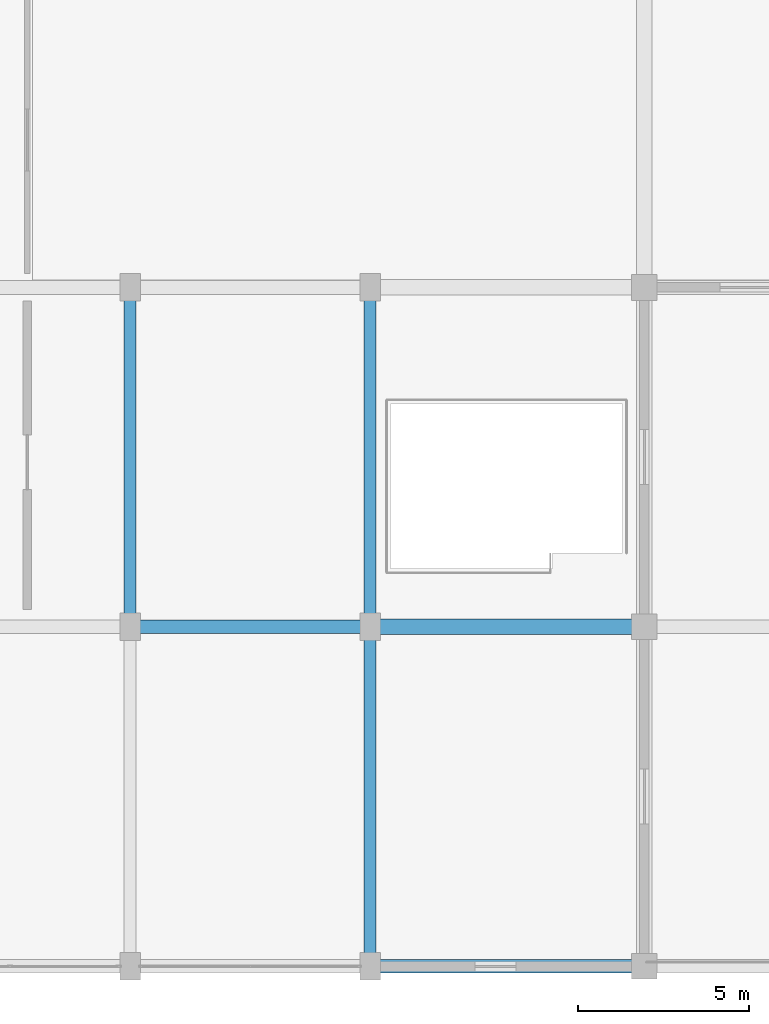
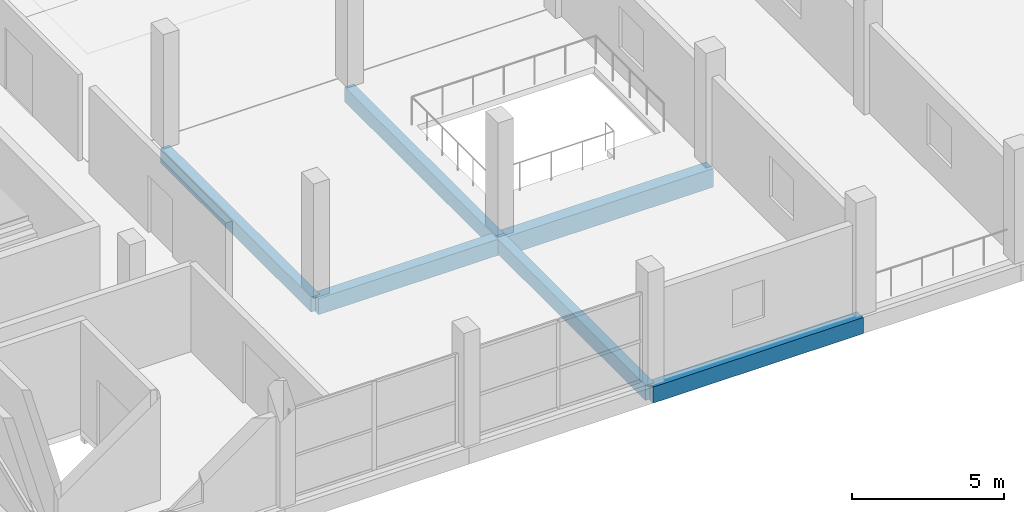
# One storey, part 5 of 49: 6 beams.
"""IFC4 building model written with IfcOpenShell, lengths in metres."""

from ifc_helpers import new_model, si_unit, direction, frame, origin, origin_2d, place, context, subcontext, project, spatial, rectangle, extrude, material, material_profile, profile_set, type_object, element, save


model = new_model("IFC4")

# Units and contexts
model_context = context("Model", 3, precision=1e-05, world=origin(), true_north=direction((0.0, 1.0)))
body_context = subcontext(model_context, "Body", "Model", "MODEL_VIEW")
ifc_project = project(units=[si_unit("LENGTHUNIT", "METRE"), si_unit("AREAUNIT", "SQUARE_METRE"), si_unit("VOLUMEUNIT", "CUBIC_METRE"), si_unit("PLANEANGLEUNIT", "RADIAN"), si_unit("MASSUNIT", "GRAM", prefix="KILO")], contexts=[model_context])

# Site, building, storey
site_placement = place(None, origin())
site = spatial("IfcSite", under=ifc_project, at=site_placement, CompositionType="ELEMENT")
building_placement = place(site_placement, origin())
building = spatial("IfcBuilding", under=site, at=building_placement, Name="Sillaruma Civic Art Gallery", CompositionType="ELEMENT")
storey_placement = place(building_placement, frame((0.0, 0.0, 33.14990234375)))
storey = spatial("IfcBuildingStorey", under=building, at=storey_placement, Name="L06", CompositionType="ELEMENT", Elevation=33.14990234375)

# Beams
ifc_material_1 = material(Name="Concrete H35 (35 MPa)", Category="concrete")
ifc_material_profile_1 = material_profile(ifc_material_1, rectangle(XDim=0.35009765625, YDim=0.60009765625, at=origin_2d()), Name="RCB350x600")
ifc_profile_set_1 = profile_set([ifc_material_profile_1], Name="Concrete H35 (35 MPa)")
beam_type_1 = type_object("IfcBeamType", Name="BM-BEAM-RCB350x600", PredefinedType="BEAM", material=ifc_profile_set_1)
beam_1_placement = place(storey_placement, frame((77.0, 29.699951171875, -0.539794921875), z_axis=(0.0, 1.0, 0.0), x_axis=(-1.0, 0.0, 0.0)))
element("IfcBeam", 1, at=beam_1_placement, inside=storey, type_object=beam_type_1, Name="Beam BM-06 (L05:H:4-5)", PredefinedType="BEAM", context=body_context, shape_type="SweptSolid", body=[
    extrude(rectangle(XDim=0.35009765625, YDim=0.60009765625, at=origin_2d()), origin(), (0.0, 0.0, 1.0), 9.900146484375),
])
beam_2_placement = place(storey_placement, frame((84.0, 19.800048828125, -0.539794921875), z_axis=(0.0, 1.0, 0.0), x_axis=(-1.0, 0.0, 0.0)))
element("IfcBeam", 2, at=beam_2_placement, inside=storey, type_object=beam_type_1, Name="Beam BM-06 (L05:J:3-4)", PredefinedType="BEAM", context=body_context, shape_type="SweptSolid", body=[
    extrude(rectangle(XDim=0.35009765625, YDim=0.60009765625, at=origin_2d()), origin(), (0.0, 0.0, 1.0), 9.89990234375),
])
beam_3_placement = place(storey_placement, frame((84.0, 29.699951171875, -0.539794921875), z_axis=(0.0, 1.0, 0.0), x_axis=(-1.0, 0.0, 0.0)))
element("IfcBeam", 3, at=beam_3_placement, inside=storey, type_object=beam_type_1, Name="Beam BM-06 (L05:J:4-5)", PredefinedType="BEAM", context=body_context, shape_type="SweptSolid", body=[
    extrude(rectangle(XDim=0.35009765625, YDim=0.60009765625, at=origin_2d()), origin(), (0.0, 0.0, 1.0), 9.900146484375),
])
ifc_material_profile_2 = material_profile(ifc_material_1, rectangle(XDim=0.39990234375, YDim=0.64990234375, at=origin_2d()), Name="RCB400x650")
ifc_profile_set_2 = profile_set([ifc_material_profile_2], Name="Concrete H35 (35 MPa)")
beam_type_2 = type_object("IfcBeamType", Name="BM-BEAM-RCB400x650", PredefinedType="BEAM", material=ifc_profile_set_2)
beam_4_placement = place(storey_placement, frame((77.0, 29.699951171875, -0.56494140625), z_axis=(1.0, 0.0, 0.0), x_axis=(0.0, 1.0, 0.0)))
element("IfcBeam", 4, at=beam_4_placement, inside=storey, type_object=beam_type_2, Name="Beam BM-05 (L05:4:H-J)", PredefinedType="BEAM", context=body_context, shape_type="SweptSolid", body=[
    extrude(rectangle(XDim=0.39990234375, YDim=0.64990234375, at=origin_2d()), origin(), (0.0, 0.0, 1.0), 7.0),
])
ifc_material_2 = material(Name="Concrete H40 (40 MPa)", Category="concrete")
ifc_material_profile_3 = material_profile(ifc_material_2, rectangle(XDim=0.449951171875, YDim=0.75, at=origin_2d()), Name="RCB450x750")
ifc_profile_set_3 = profile_set([ifc_material_profile_3], Name="Concrete H40 (40 MPa)")
beam_type_3 = type_object("IfcBeamType", Name="BM-BEAM-RCB450x750", PredefinedType="BEAM", material=ifc_profile_set_3)
beam_5_placement = place(storey_placement, frame((84.0, 29.699951171875, -0.614990234375), z_axis=(1.0, 0.0, 0.0), x_axis=(0.0, 1.0, 0.0)))
element("IfcBeam", 5, at=beam_5_placement, inside=storey, type_object=beam_type_3, Name="Beam BM-03 (L05:4:J-K)", PredefinedType="BEAM", context=body_context, shape_type="SweptSolid", body=[
    extrude(rectangle(XDim=0.449951171875, YDim=0.75, at=origin_2d()), origin(), (0.0, 0.0, 1.0), 8.0),
])
ifc_material_profile_4 = material_profile(ifc_material_1, rectangle(XDim=0.39990234375, YDim=0.64990234375, at=origin_2d()), Name="RCB400x650")
ifc_profile_set_4 = profile_set([ifc_material_profile_4], Name="Concrete H35 (35 MPa)")
beam_type_4 = type_object("IfcBeamType", Name="BM-SPANDREL-RCB400x650", PredefinedType="SPANDREL", material=ifc_profile_set_4)
beam_6_placement = place(storey_placement, frame((84.0, 19.800048828125, -0.56494140625), z_axis=(1.0, 0.0, 0.0), x_axis=(0.0, 1.0, 0.0)))
element("IfcBeam", 6, at=beam_6_placement, inside=storey, type_object=beam_type_4, Name="Beam BS-02 (L05:3:J-K)", PredefinedType="SPANDREL", context=body_context, shape_type="SweptSolid", body=[
    extrude(rectangle(XDim=0.39990234375, YDim=0.64990234375, at=origin_2d()), origin(), (0.0, 0.0, 1.0), 8.0),
])

save(model, "model.ifc")
